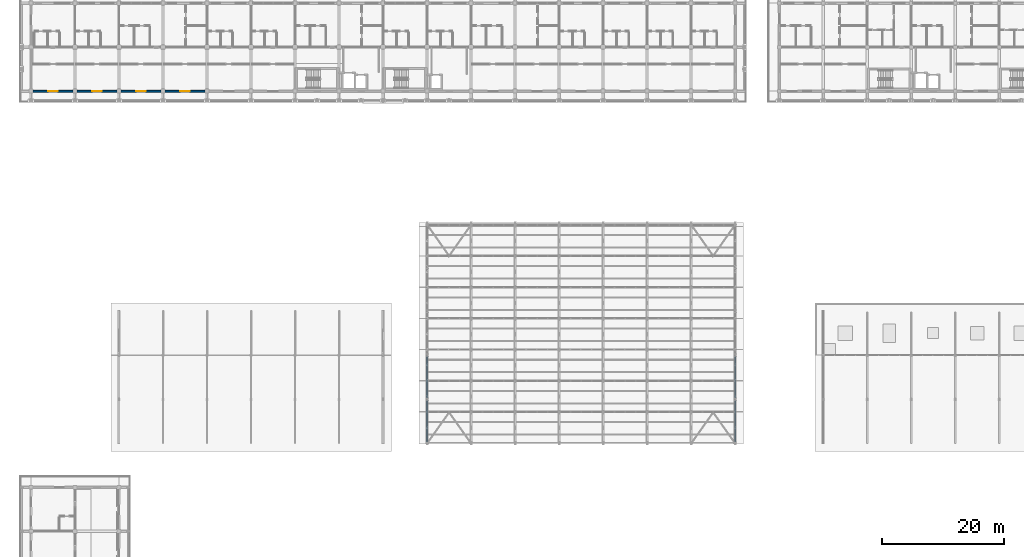
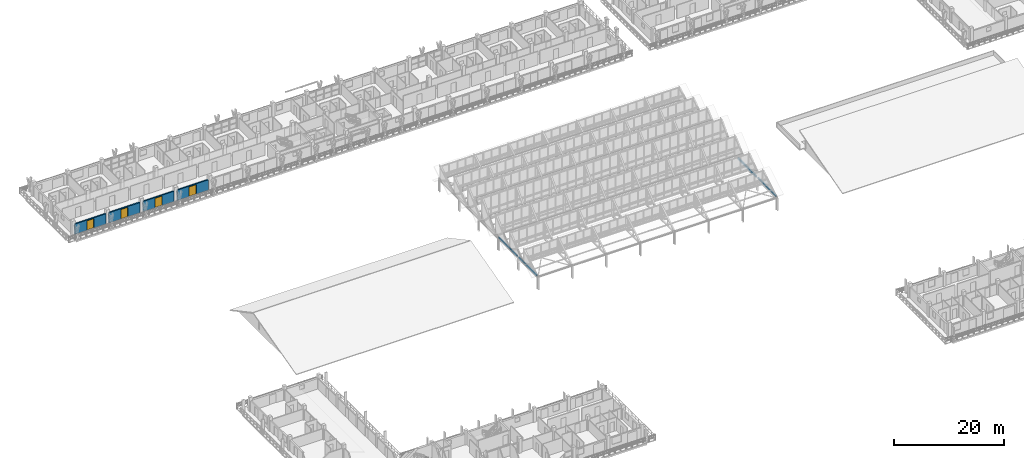
# One storey, part 119 of 157: 8 walls, 4 doors, 4 openings.
"""IFC4 building model written with IfcOpenShell, lengths in metres."""

from ifc_helpers import new_model, si_unit, direction, frame, frame_2d, origin, place, context, subcontext, project, spatial, rectangle, extrude, material, layer, layer_set, type_object, element, fill, save


model = new_model("IFC4")

# Units and contexts
model_context = context("Model", 3, precision=1e-05, world=origin(), true_north=direction((0.0, 1.0)))
body_context = subcontext(model_context, "Body", "Model", "MODEL_VIEW")
ifc_project = project(units=[si_unit("LENGTHUNIT", "METRE"), si_unit("AREAUNIT", "SQUARE_METRE"), si_unit("VOLUMEUNIT", "CUBIC_METRE"), si_unit("PLANEANGLEUNIT", "RADIAN"), si_unit("MASSUNIT", "GRAM", prefix="KILO")], contexts=[model_context])

# Site, building, storey
site_placement = place(None, origin())
site = spatial("IfcSite", under=ifc_project, at=site_placement, CompositionType="ELEMENT")
building_placement = place(site_placement, origin())
building = spatial("IfcBuilding", under=site, at=building_placement, Name="Suanplinth Sawtooth Commons", CompositionType="ELEMENT")
storey_placement = place(building_placement, frame((0.0, 0.0, 9.0)))
storey = spatial("IfcBuildingStorey", under=building, at=storey_placement, Name="L02", CompositionType="ELEMENT", Elevation=9.0)

# Wall, opening, door
ifc_material_1 = material(Name="Precast concrete C40/50", Category="concrete")
ifc_layer_1 = layer(ifc_material_1, 0.280029296875, Name="Insulated precast architectural facade wall 280mm")
ifc_layer_set_1 = layer_set([ifc_layer_1], Name="Precast concrete C40/50")
wall_type_1 = type_object("IfcWallType", Name="W-EX01", PredefinedType="ELEMENTEDWALL", material=ifc_layer_set_1)
wall_1_placement = place(storey_placement, frame((0.324951171875, 108.0, 0.0), z_axis=(0.0, 0.0, 1.0), x_axis=(1.0, 0.0, 0.0)))
wall_1 = element("IfcWall", 1, at=wall_1_placement, inside=storey, type_object=wall_type_1, Name="Courtyard Wall W-L02-A-S-0", PredefinedType="ELEMENTEDWALL", context=body_context, shape_type="SweptSolid", body=[
    extrude(rectangle(XDim=6.550048828125, YDim=0.280029296875, at=frame_2d((3.27490234375, 0.0))), origin(), (0.0, 0.0, 1.0), 2.294921875),
])
opening_1_placement = place(wall_1_placement, frame((2.52490234375, 0.0, 0.0)))
opening_1 = element("IfcOpeningElement", 2, at=opening_1_placement, cuts=wall_1, Name="Opening ED0130", PredefinedType="OPENING", context=body_context, shape_type="SweptSolid", body=[
    extrude(rectangle(XDim=1.5, YDim=2.1201171875, at=frame_2d((0.75, 1.06005859375))), frame((0.0, 0.15478515625, 0.0), z_axis=(0.0, -1.0, 0.0), x_axis=(1.0, 0.0, 0.0)), (0.0, 0.0, 1.0), 0.309814453125),
])
ifc_material_2 = material(Name="Anodized aluminium and low-E glass", Category="aluminium")
door_type = type_object("IfcDoorType", Name="SD-03", OperationType="SLIDING_TO_LEFT", PredefinedType="DOOR", material=ifc_material_2)
door_1_placement = place(opening_1_placement, frame((1.5, 0.0, 0.0), z_axis=(0.0, 0.0, 1.0), x_axis=(-1.0, 0.0, 0.0)))
door_1 = element("IfcDoor", 3, at=door_1_placement, inside=storey, type_object=door_type, Name="Courtyard Balcony Sliding Door L02-A-S-0", OperationType="SLIDING_TO_LEFT", OverallHeight=2.1201171875, OverallWidth=1.5, PredefinedType="DOOR", context=body_context, shape_type="SweptSolid", body=[
    extrude(rectangle(XDim=1.5, YDim=2.1201171875, at=frame_2d((0.75, 1.06005859375))), frame((0.0, 0.02490234375, 0.0), z_axis=(0.0, -1.0, 0.0), x_axis=(1.0, 0.0, 0.0)), (0.0, 0.0, 1.0), 0.050048828125),
])
fill(opening_1, door_1)

wall_2_placement = place(storey_placement, frame((7.52490234375, 108.0, 0.0), z_axis=(0.0, 0.0, 1.0), x_axis=(1.0, 0.0, 0.0)))
wall_2 = element("IfcWall", 4, at=wall_2_placement, inside=storey, type_object=wall_type_1, Name="Courtyard Wall W-L02-A-S-1", PredefinedType="ELEMENTEDWALL", context=body_context, shape_type="SweptSolid", body=[
    extrude(rectangle(XDim=6.550048828125, YDim=0.280029296875, at=frame_2d((3.27490234375, 0.0))), origin(), (0.0, 0.0, 1.0), 2.294921875),
])
opening_2_placement = place(wall_2_placement, frame((2.52490234375, 0.0, 0.0)))
opening_2 = element("IfcOpeningElement", 5, at=opening_2_placement, cuts=wall_2, Name="Opening ED0132", PredefinedType="OPENING", context=body_context, shape_type="SweptSolid", body=[
    extrude(rectangle(XDim=1.5, YDim=2.1201171875, at=frame_2d((0.75, 1.06005859375))), frame((0.0, 0.15478515625, 0.0), z_axis=(0.0, -1.0, 0.0), x_axis=(1.0, 0.0, 0.0)), (0.0, 0.0, 1.0), 0.309814453125),
])
door_2_placement = place(opening_2_placement, frame((1.5, 0.0, 0.0), z_axis=(0.0, 0.0, 1.0), x_axis=(-1.0, 0.0, 0.0)))
door_2 = element("IfcDoor", 6, at=door_2_placement, inside=storey, type_object=door_type, Name="Courtyard Balcony Sliding Door L02-A-S-1", OperationType="SLIDING_TO_LEFT", OverallHeight=2.1201171875, OverallWidth=1.5, PredefinedType="DOOR", context=body_context, shape_type="SweptSolid", body=[
    extrude(rectangle(XDim=1.5, YDim=2.1201171875, at=frame_2d((0.75, 1.06005859375))), frame((0.0, 0.02490234375, 0.0), z_axis=(0.0, -1.0, 0.0), x_axis=(1.0, 0.0, 0.0)), (0.0, 0.0, 1.0), 0.050048828125),
])
fill(opening_2, door_2)

wall_3_placement = place(storey_placement, frame((14.72509765625, 108.0, 0.0), z_axis=(0.0, 0.0, 1.0), x_axis=(1.0, 0.0, 0.0)))
wall_3 = element("IfcWall", 7, at=wall_3_placement, inside=storey, type_object=wall_type_1, Name="Courtyard Wall W-L02-A-S-2", PredefinedType="ELEMENTEDWALL", context=body_context, shape_type="SweptSolid", body=[
    extrude(rectangle(XDim=6.5498046875, YDim=0.280029296875, at=frame_2d((3.27490234375, 0.0))), origin(), (0.0, 0.0, 1.0), 2.294921875),
])
opening_3_placement = place(wall_3_placement, frame((2.52490234375, 0.0, 0.0)))
opening_3 = element("IfcOpeningElement", 8, at=opening_3_placement, cuts=wall_3, Name="Opening ED0133", PredefinedType="OPENING", context=body_context, shape_type="SweptSolid", body=[
    extrude(rectangle(XDim=1.5, YDim=2.1201171875, at=frame_2d((0.75, 1.06005859375))), frame((0.0, 0.15478515625, 0.0), z_axis=(0.0, -1.0, 0.0), x_axis=(1.0, 0.0, 0.0)), (0.0, 0.0, 1.0), 0.309814453125),
])
door_3_placement = place(opening_3_placement, frame((1.5, 0.0, 0.0), z_axis=(0.0, 0.0, 1.0), x_axis=(-1.0, 0.0, 0.0)))
door_3 = element("IfcDoor", 9, at=door_3_placement, inside=storey, type_object=door_type, Name="Courtyard Balcony Sliding Door L02-A-S-2", OperationType="SLIDING_TO_LEFT", OverallHeight=2.1201171875, OverallWidth=1.5, PredefinedType="DOOR", context=body_context, shape_type="SweptSolid", body=[
    extrude(rectangle(XDim=1.5, YDim=2.1201171875, at=frame_2d((0.75, 1.06005859375))), frame((0.0, 0.02490234375, 0.0), z_axis=(0.0, -1.0, 0.0), x_axis=(1.0, 0.0, 0.0)), (0.0, 0.0, 1.0), 0.050048828125),
])
fill(opening_3, door_3)

wall_4_placement = place(storey_placement, frame((21.925048828125, 108.0, 0.0), z_axis=(0.0, 0.0, 1.0), x_axis=(1.0, 0.0, 0.0)))
wall_4 = element("IfcWall", 10, at=wall_4_placement, inside=storey, type_object=wall_type_1, Name="Courtyard Wall W-L02-A-S-3", PredefinedType="ELEMENTEDWALL", context=body_context, shape_type="SweptSolid", body=[
    extrude(rectangle(XDim=6.550048828125, YDim=0.280029296875, at=frame_2d((3.27490234375, 0.0))), origin(), (0.0, 0.0, 1.0), 2.294921875),
])
opening_4_placement = place(wall_4_placement, frame((2.52490234375, 0.0, 0.0)))
opening_4 = element("IfcOpeningElement", 11, at=opening_4_placement, cuts=wall_4, Name="Opening ED0135", PredefinedType="OPENING", context=body_context, shape_type="SweptSolid", body=[
    extrude(rectangle(XDim=1.5, YDim=2.1201171875, at=frame_2d((0.75, 1.06005859375))), frame((0.0, 0.15478515625, 0.0), z_axis=(0.0, -1.0, 0.0), x_axis=(1.0, 0.0, 0.0)), (0.0, 0.0, 1.0), 0.309814453125),
])
door_4_placement = place(opening_4_placement, frame((1.5, 0.0, 0.0), z_axis=(0.0, 0.0, 1.0), x_axis=(-1.0, 0.0, 0.0)))
door_4 = element("IfcDoor", 12, at=door_4_placement, inside=storey, type_object=door_type, Name="Courtyard Balcony Sliding Door L02-A-S-3", OperationType="SLIDING_TO_LEFT", OverallHeight=2.1201171875, OverallWidth=1.5, PredefinedType="DOOR", context=body_context, shape_type="SweptSolid", body=[
    extrude(rectangle(XDim=1.5, YDim=2.1201171875, at=frame_2d((0.75, 1.06005859375))), frame((0.0, 0.02490234375, 0.0), z_axis=(0.0, -1.0, 0.0), x_axis=(1.0, 0.0, 0.0)), (0.0, 0.0, 1.0), 0.050048828125),
])
fill(opening_4, door_4)

# Walls
ifc_layer_2 = layer(ifc_material_1, 0.219970703125, Name="Civic pavilion insulated facade wall 220mm")
ifc_layer_set_2 = layer_set([ifc_layer_2], Name="Precast concrete C40/50")
wall_type_2 = type_object("IfcWallType", Name="W-EX05", PredefinedType="ELEMENTEDWALL", material=ifc_layer_set_2)
for number, where, z_axis, x_axis, name in (
    (13, (64.800048828125, 50.625, 2.81005859375), (0.0, 0.0, 1.0), (0.0, 1.0, 0.0), "Hall W Wall L02-7"),
    (14, (115.199951171875, 50.625, 2.81005859375), (0.0, 0.0, 1.0), (0.0, 1.0, 0.0), "Hall E Wall L02-7"),
    (15, (64.800048828125, 57.824951171875, 2.81005859375), (0.0, 0.0, 1.0), (0.0, 1.0, 0.0), "Hall W Wall L02-8"),
    (16, (115.199951171875, 57.824951171875, 2.81005859375), (0.0, 0.0, 1.0), (0.0, 1.0, 0.0), "Hall E Wall L02-8"),
):
    element("IfcWall", number, at=place(storey_placement, frame(where, z_axis=z_axis, x_axis=x_axis)), inside=storey, type_object=wall_type_2, Name=name, PredefinedType="ELEMENTEDWALL", context=body_context, shape_type="SweptSolid", body=[
        extrude(rectangle(XDim=6.75, YDim=0.219970703125, at=frame_2d((3.375, 0.0))), origin(), (0.0, 0.0, 1.0), 0.389892578125),
    ])

save(model, "model.ifc")
